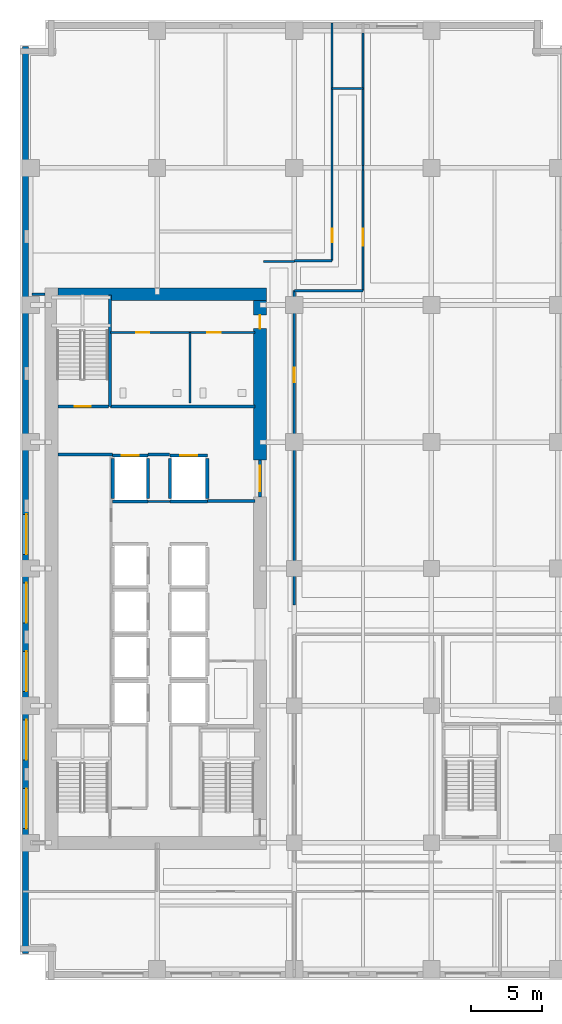
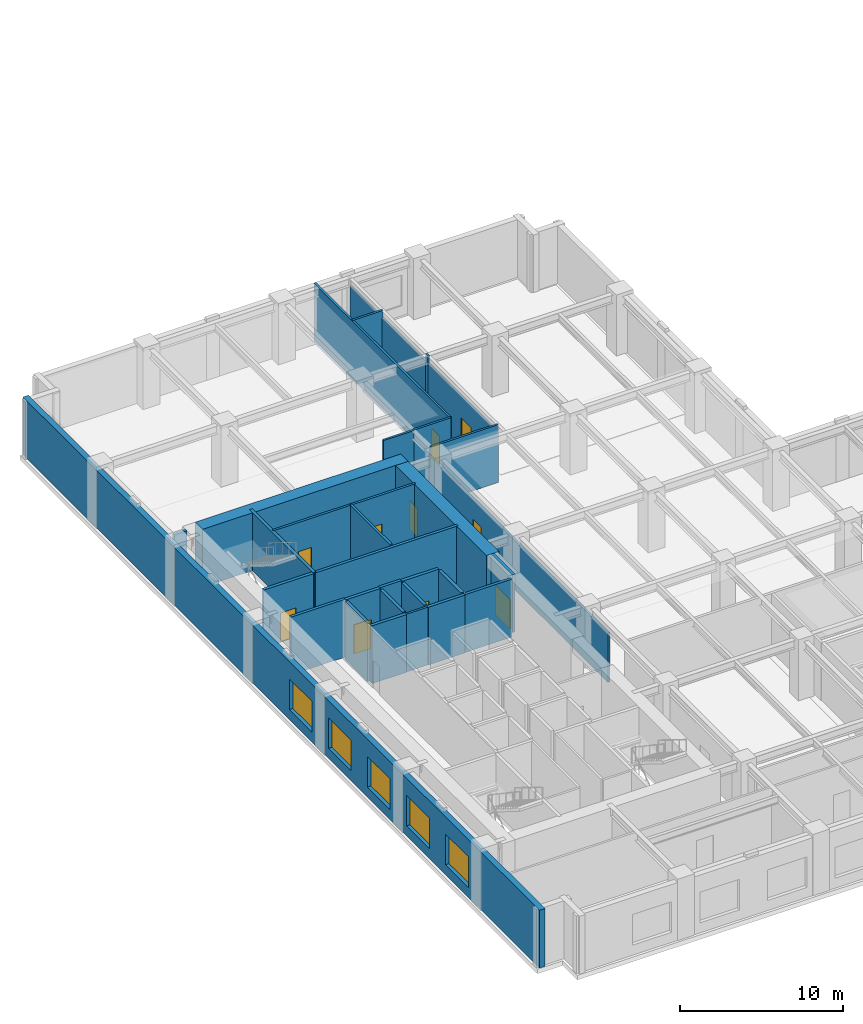
# One storey, part 7 of 21: 31 walls, 10 doors, 5 windows, 15 openings.
"""IFC4 building model written with IfcOpenShell, lengths in metres."""

from ifc_helpers import new_model, si_unit, direction, frame, frame_2d, origin, place, context, subcontext, project, spatial, rectangle, extrude, material, layer, layer_set, type_object, element, fill, save


model = new_model("IFC4")

# Units and contexts
model_context = context("Model", 3, precision=1e-05, world=origin(), true_north=direction((0.0, 1.0)))
body_context = subcontext(model_context, "Body", "Model", "MODEL_VIEW")
ifc_project = project(units=[si_unit("LENGTHUNIT", "METRE"), si_unit("AREAUNIT", "SQUARE_METRE"), si_unit("VOLUMEUNIT", "CUBIC_METRE"), si_unit("PLANEANGLEUNIT", "RADIAN"), si_unit("MASSUNIT", "GRAM", prefix="KILO")], contexts=[model_context])

# Site, building, storey
site_placement = place(None, origin())
site = spatial("IfcSite", under=ifc_project, at=site_placement, CompositionType="ELEMENT")
building_placement = place(site_placement, origin())
building = spatial("IfcBuilding", under=site, at=building_placement, Name="Norrvale University Quadrangle", CompositionType="ELEMENT")
storey_placement = place(building_placement, frame((0.0, 0.0, 19.60009765625)))
storey = spatial("IfcBuildingStorey", under=building, at=storey_placement, Name="L04", CompositionType="ELEMENT", Elevation=19.60009765625)

# Wall
ifc_material_1 = material(Name="Concrete C80/95", Category="concrete")
ifc_layer_1 = layer(ifc_material_1, 0.89990234375, Name="Concrete C80/95")
ifc_layer_set_1 = layer_set([ifc_layer_1], Name="Concrete C80/95")
wall_type_1 = type_object("IfcWallType", Name="Wall Core 900", PredefinedType="SHEAR", material=ifc_layer_set_1)
wall_1_placement = place(storey_placement, frame((2.64990234375, 48.0, 0.0), z_axis=(0.0, 0.0, 1.0), x_axis=(1.0, 0.0, 0.0)))
element("IfcWall", 1, at=wall_1_placement, inside=storey, type_object=wall_type_1, Name="Tower Core Shear Wall L04-N", PredefinedType="SHEAR", context=body_context, shape_type="SweptSolid", body=[
    extrude(rectangle(XDim=14.60009765625, YDim=0.89990234375, at=frame_2d((7.300048828125, 0.0))), origin(), (0.0, 0.0, 1.0), 4.33984375),
])

# Wall, opening, door
wall_2_placement = place(storey_placement, frame((16.800048828125, 36.39990234375, 0.0), z_axis=(0.0, 0.0, 1.0), x_axis=(0.0, 1.0, 0.0)))
wall_2 = element("IfcWall", 2, at=wall_2_placement, inside=storey, type_object=wall_type_1, Name="Tower Core Shear Wall L04-E3", PredefinedType="SHEAR", context=body_context, shape_type="SweptSolid", body=[
    extrude(rectangle(XDim=11.150146484375, YDim=0.89990234375, at=frame_2d((5.5751953125, 0.0))), origin(), (0.0, 0.0, 1.0), 4.33984375),
])
opening_1_placement = place(wall_2_placement, frame((9.199951171875, 0.0, 0.0)))
opening_1 = element("IfcOpeningElement", 3, at=opening_1_placement, cuts=wall_2, Name="Opening D07", PredefinedType="OPENING", context=body_context, shape_type="SweptSolid", body=[
    extrude(rectangle(XDim=0.949951171875, YDim=2.14990234375, at=frame_2d((0.47509765625, 1.074951171875))), frame((0.0, 0.4619140625, 0.0), z_axis=(0.0, -1.0, 0.0), x_axis=(1.0, 0.0, 0.0)), (0.0, 0.0, 1.0), 0.923828125),
])
ifc_material_2 = material(Name="Solid-Core Maple Door", Category="wood")
door_type_1 = type_object("IfcDoorType", Name="Door Office 950x2150", OperationType="NOTDEFINED", PredefinedType="DOOR", material=ifc_material_2)
door_1_placement = place(opening_1_placement, origin())
door_1 = element("IfcDoor", 4, at=door_1_placement, inside=storey, type_object=door_type_1, Name="Door Office 950x2150 DR-L04-NECORR", OperationType="SINGLE_SWING_LEFT", OverallHeight=2.14990234375, OverallWidth=0.949951171875, PredefinedType="DOOR", context=body_context, shape_type="SweptSolid", body=[
    extrude(rectangle(XDim=0.949951171875, YDim=2.14990234375, at=frame_2d((0.47509765625, 1.074951171875))), frame((0.0, 0.02490234375, 0.0), z_axis=(0.0, -1.0, 0.0), x_axis=(1.0, 0.0, 0.0)), (0.0, 0.0, 1.0), 0.050048828125),
])
fill(opening_1, door_1)

# Walls
ifc_material_3 = material(Name="Fire-Rated Gypsum Stud Partition")
ifc_layer_2 = layer(ifc_material_3, 0.14990234375, Name="Fire-Rated Gypsum Stud Partition")
ifc_layer_set_2 = layer_set([ifc_layer_2], Name="Fire-Rated Gypsum Stud Partition")
wall_type_2 = type_object("IfcWallType", Name="Wall Gypsum Corridor 150", PredefinedType="PARTITIONING", material=ifc_layer_set_2)
wall_3_placement = place(storey_placement, frame((8.965087890625, 33.489990234375, 0.0), z_axis=(0.0, 0.0, 1.0), x_axis=(1.0, 0.0, 0.0)))
element("IfcWall", 5, at=wall_3_placement, inside=storey, type_object=wall_type_2, Name="Interior Partition WL-L04-LL3", PredefinedType="PARTITIONING", context=body_context, shape_type="SweptSolid", body=[
    extrude(rectangle(XDim=1.52001953125, YDim=0.14990234375, at=frame_2d((0.760009765625, 0.0))), origin(), (0.0, 0.0, 1.0), 4.33984375),
])
wall_4_placement = place(storey_placement, frame((17.050048828125, 50.300048828125, 0.0), z_axis=(0.0, 0.0, 1.0), x_axis=(1.0, 0.0, 0.0)))
element("IfcWall", 6, at=wall_4_placement, inside=storey, type_object=wall_type_2, Name="Interior Partition WL-L04-CN-END", PredefinedType="PARTITIONING", context=body_context, shape_type="SweptSolid", body=[
    extrude(rectangle(XDim=2.14990234375, YDim=0.14990234375, at=frame_2d((1.074951171875, 0.0))), origin(), (0.0, 0.0, 1.0), 4.33984375),
])

# Wall, opening, door
wall_5_placement = place(storey_placement, frame((19.199951171875, 26.25, 0.0), z_axis=(0.0, 0.0, 1.0), x_axis=(0.0, 1.0, 0.0)))
wall_5 = element("IfcWall", 7, at=wall_5_placement, inside=storey, type_object=wall_type_2, Name="Interior Partition WL-L04-MNECW", PredefinedType="PARTITIONING", context=body_context, shape_type="SweptSolid", body=[
    extrude(rectangle(XDim=22.0, YDim=0.14990234375, at=frame_2d((11.0, 0.0))), origin(), (0.0, 0.0, 1.0), 3.723876953125),
])
opening_2_placement = place(wall_5_placement, frame((15.60009765625, 0.0, 0.0)))
opening_2 = element("IfcOpeningElement", 8, at=opening_2_placement, cuts=wall_5, Name="Opening D04", PredefinedType="OPENING", context=body_context, shape_type="SweptSolid", body=[
    extrude(rectangle(XDim=1.0, YDim=2.199951171875, at=frame_2d((0.5, 1.10009765625))), frame((0.0, 0.0869140625, 0.0), z_axis=(0.0, -1.0, 0.0), x_axis=(1.0, 0.0, 0.0)), (0.0, 0.0, 1.0), 0.173828125),
])
ifc_material_4 = material(Name="Solid-Core Oak Fire Door", Category="wood")
door_type_2 = type_object("IfcDoorType", Name="Door Corridor 1000x2200", OperationType="NOTDEFINED", PredefinedType="DOOR", material=ifc_material_4)
door_2_placement = place(opening_2_placement, origin())
door_2 = element("IfcDoor", 9, at=door_2_placement, inside=storey, type_object=door_type_2, Name="Door Corridor 1000x2200 DR-L04-MNE01", OperationType="SINGLE_SWING_RIGHT", OverallHeight=2.199951171875, OverallWidth=1.0, PredefinedType="DOOR", context=body_context, shape_type="SweptSolid", body=[
    extrude(rectangle(XDim=1.0, YDim=2.199951171875, at=frame_2d((0.5, 1.10009765625))), frame((0.0, 0.02490234375, 0.0), z_axis=(0.0, -1.0, 0.0), x_axis=(1.0, 0.0, 0.0)), (0.0, 0.0, 1.0), 0.050048828125),
])
fill(opening_2, door_2)

# Walls
wall_6_placement = place(storey_placement, frame((19.199951171875, 48.25, 0.0), z_axis=(0.0, 0.0, 1.0), x_axis=(1.0, 0.0, 0.0)))
element("IfcWall", 10, at=wall_6_placement, inside=storey, type_object=wall_type_2, Name="Interior Partition WL-L04-JOGS", PredefinedType="PARTITIONING", context=body_context, shape_type="SweptSolid", body=[
    extrude(rectangle(XDim=4.800048828125, YDim=0.14990234375, at=frame_2d((2.39990234375, 0.0))), origin(), (0.0, 0.0, 1.0), 4.33984375),
])
wall_7_placement = place(storey_placement, frame((19.199951171875, 50.35009765625, 0.0), z_axis=(0.0, 0.0, 1.0), x_axis=(1.0, 0.0, 0.0)))
element("IfcWall", 11, at=wall_7_placement, inside=storey, type_object=wall_type_2, Name="Interior Partition WL-L04-JOGN", PredefinedType="PARTITIONING", context=body_context, shape_type="SweptSolid", body=[
    extrude(rectangle(XDim=2.650146484375, YDim=0.14990234375, at=frame_2d((1.3251953125, 0.0))), origin(), (0.0, 0.0, 1.0), 4.33984375),
])
wall_8_placement = place(storey_placement, frame((21.85009765625, 62.39990234375, 0.0), z_axis=(0.0, 0.0, 1.0), x_axis=(1.0, 0.0, 0.0)))
element("IfcWall", 12, at=wall_8_placement, inside=storey, type_object=wall_type_2, Name="Interior Partition WL-L04-JOGEND", PredefinedType="PARTITIONING", context=body_context, shape_type="SweptSolid", body=[
    extrude(rectangle(XDim=2.14990234375, YDim=0.14990234375, at=frame_2d((1.074951171875, 0.0))), origin(), (0.0, 0.0, 1.0), 4.33984375),
])

# Wall, opening, door
wall_9_placement = place(storey_placement, frame((24.0, 48.25, 0.0), z_axis=(0.0, 0.0, 1.0), x_axis=(0.0, 1.0, 0.0)))
wall_9 = element("IfcWall", 13, at=wall_9_placement, inside=storey, type_object=wall_type_2, Name="Interior Partition WL-L04-NECW", PredefinedType="PARTITIONING", context=body_context, shape_type="SweptSolid", body=[
    extrude(rectangle(XDim=8.4375, YDim=0.14990234375, at=frame_2d((4.21875, 0.0))), origin(), (0.0, 0.0, 1.0), 3.7958984375),
])
opening_3_placement = place(wall_9_placement, frame((3.14990234375, 0.0, 0.0)))
opening_3 = element("IfcOpeningElement", 14, at=opening_3_placement, cuts=wall_9, Name="Opening D05", PredefinedType="OPENING", context=body_context, shape_type="SweptSolid", body=[
    extrude(rectangle(XDim=1.199951171875, YDim=2.199951171875, at=frame_2d((0.60009765625, 1.10009765625))), frame((0.0, 0.0869140625, 0.0), z_axis=(0.0, -1.0, 0.0), x_axis=(1.0, 0.0, 0.0)), (0.0, 0.0, 1.0), 0.173828125),
])
ifc_material_5 = material(Name="Acoustic Oak Classroom Door", Category="wood")
door_type_3 = type_object("IfcDoorType", Name="Door Classroom 1200x2200", OperationType="NOTDEFINED", PredefinedType="DOOR", material=ifc_material_5)
door_3_placement = place(opening_3_placement, origin())
door_3 = element("IfcDoor", 15, at=door_3_placement, inside=storey, type_object=door_type_3, Name="Door Classroom 1200x2200 DR-L04-NE01", OperationType="SINGLE_SWING_RIGHT", OverallHeight=2.199951171875, OverallWidth=1.199951171875, PredefinedType="DOOR", context=body_context, shape_type="SweptSolid", body=[
    extrude(rectangle(XDim=1.199951171875, YDim=2.199951171875, at=frame_2d((0.60009765625, 1.10009765625))), frame((0.0, 0.02490234375, 0.0), z_axis=(0.0, -1.0, 0.0), x_axis=(1.0, 0.0, 0.0)), (0.0, 0.0, 1.0), 0.050048828125),
])
fill(opening_3, door_3)

# Walls
wall_10_placement = place(storey_placement, frame((24.0, 56.6875, 0.0), z_axis=(0.0, 0.0, 1.0), x_axis=(0.0, 1.0, 0.0)))
element("IfcWall", 16, at=wall_10_placement, inside=storey, type_object=wall_type_2, Name="Interior Partition WL-L04-NECW-B2", PredefinedType="PARTITIONING", context=body_context, shape_type="SweptSolid", body=[
    extrude(rectangle(XDim=0.324951171875, YDim=0.14990234375, at=frame_2d((0.16259765625, 0.0))), origin(), (0.0, 0.0, 1.0), 4.33984375),
])
wall_11_placement = place(storey_placement, frame((24.0, 57.012451171875, 0.0), z_axis=(0.0, 0.0, 1.0), x_axis=(0.0, 1.0, 0.0)))
element("IfcWall", 17, at=wall_11_placement, inside=storey, type_object=wall_type_2, Name="Interior Partition WL-L04-NECW-B3", PredefinedType="PARTITIONING", context=body_context, shape_type="SweptSolid", body=[
    extrude(rectangle(XDim=9.275146484375, YDim=0.14990234375, at=frame_2d((4.6376953125, 0.0))), origin(), (0.0, 0.0, 1.0), 3.7958984375),
])

# Wall, opening, door
wall_12_placement = place(storey_placement, frame((21.85009765625, 50.35009765625, 0.0), z_axis=(0.0, 0.0, 1.0), x_axis=(0.0, 1.0, 0.0)))
wall_12 = element("IfcWall", 18, at=wall_12_placement, inside=storey, type_object=wall_type_2, Name="Interior Partition WL-L04-NWCW", PredefinedType="PARTITIONING", context=body_context, shape_type="SweptSolid", body=[
    extrude(rectangle(XDim=16.6298828125, YDim=0.14990234375, at=frame_2d((8.31494140625, 0.0))), origin(), (0.0, 0.0, 1.0), 4.33984375),
])
opening_4_placement = place(wall_12_placement, frame((1.300048828125, 0.0, 0.0)))
opening_4 = element("IfcOpeningElement", 19, at=opening_4_placement, cuts=wall_12, Name="Opening D07", PredefinedType="OPENING", context=body_context, shape_type="SweptSolid", body=[
    extrude(rectangle(XDim=0.949951171875, YDim=2.14990234375, at=frame_2d((0.47509765625, 1.074951171875))), frame((0.0, 0.0869140625, 0.0), z_axis=(0.0, -1.0, 0.0), x_axis=(1.0, 0.0, 0.0)), (0.0, 0.0, 1.0), 0.173828125),
])
door_4_placement = place(opening_4_placement, origin())
door_4 = element("IfcDoor", 20, at=door_4_placement, inside=storey, type_object=door_type_1, Name="Door Office 950x2150 DR-L04-NW01", OperationType="SINGLE_SWING_RIGHT", OverallHeight=2.14990234375, OverallWidth=0.949951171875, PredefinedType="DOOR", context=body_context, shape_type="SweptSolid", body=[
    extrude(rectangle(XDim=0.949951171875, YDim=2.14990234375, at=frame_2d((0.47509765625, 1.074951171875))), frame((0.0, 0.02490234375, 0.0), z_axis=(0.0, -1.0, 0.0), x_axis=(1.0, 0.0, 0.0)), (0.0, 0.0, 1.0), 0.050048828125),
])
fill(opening_4, door_4)

# Wall, openings, doors
ifc_material_6 = material(Name="Sanitary Chase Gypsum Partition")
ifc_layer_3 = layer(ifc_material_6, 0.1650390625, Name="Sanitary Chase Gypsum Partition")
ifc_layer_set_3 = layer_set([ifc_layer_3], Name="Sanitary Chase Gypsum Partition")
wall_type_3 = type_object("IfcWallType", Name="Wall Gypsum Sanitary 165", PredefinedType="PLUMBINGWALL", material=ifc_layer_set_3)
wall_13_placement = place(storey_placement, frame((6.320068359375, 45.320068359375, 0.0), z_axis=(0.0, 0.0, 1.0), x_axis=(1.0, 0.0, 0.0)))
wall_13 = element("IfcWall", 21, at=wall_13_placement, inside=storey, type_object=wall_type_3, Name="Interior Partition WL-L04-WCN", PredefinedType="PLUMBINGWALL", context=body_context, shape_type="SweptSolid", body=[
    extrude(rectangle(XDim=10.1298828125, YDim=0.1650390625, at=frame_2d((5.06494140625, 0.0))), origin(), (0.0, 0.0, 1.0), 4.33984375),
])
opening_5_placement = place(wall_13_placement, frame((1.800048828125, 0.0, 0.0)))
opening_5 = element("IfcOpeningElement", 22, at=opening_5_placement, cuts=wall_13, Name="Opening D08", PredefinedType="OPENING", context=body_context, shape_type="SweptSolid", body=[
    extrude(rectangle(XDim=0.919921875, YDim=2.14990234375, at=frame_2d((0.4599609375, 1.074951171875))), frame((0.0, 0.094482421875, 0.0), z_axis=(0.0, -1.0, 0.0), x_axis=(1.0, 0.0, 0.0)), (0.0, 0.0, 1.0), 0.18896484375),
])
opening_6_placement = place(wall_13_placement, frame((6.800048828125, 0.0, 0.0)))
opening_6 = element("IfcOpeningElement", 23, at=opening_6_placement, cuts=wall_13, Name="Opening D08", PredefinedType="OPENING", context=body_context, shape_type="SweptSolid", body=[
    extrude(rectangle(XDim=0.919921875, YDim=2.14990234375, at=frame_2d((0.4599609375, 1.074951171875))), frame((0.0, 0.094482421875, 0.0), z_axis=(0.0, -1.0, 0.0), x_axis=(1.0, 0.0, 0.0)), (0.0, 0.0, 1.0), 0.18896484375),
])
ifc_material_7 = material(Name="Laminate Washroom Door", Category="wood")
door_type_4 = type_object("IfcDoorType", Name="Door Washroom 920x2150", OperationType="NOTDEFINED", PredefinedType="DOOR", material=ifc_material_7)
door_5_placement = place(opening_5_placement, origin())
door_5 = element("IfcDoor", 24, at=door_5_placement, inside=storey, type_object=door_type_4, Name="Door Washroom 920x2150 DR-L04-WC1", OperationType="SINGLE_SWING_LEFT", OverallHeight=2.14990234375, OverallWidth=0.919921875, PredefinedType="DOOR", context=body_context, shape_type="SweptSolid", body=[
    extrude(rectangle(XDim=0.919921875, YDim=2.14990234375, at=frame_2d((0.4599609375, 1.074951171875))), frame((0.0, 0.02490234375, 0.0), z_axis=(0.0, -1.0, 0.0), x_axis=(1.0, 0.0, 0.0)), (0.0, 0.0, 1.0), 0.050048828125),
])
fill(opening_5, door_5)
door_6_placement = place(opening_6_placement, origin())
door_6 = element("IfcDoor", 25, at=door_6_placement, inside=storey, type_object=door_type_4, Name="Door Washroom 920x2150 DR-L04-WC2", OperationType="SINGLE_SWING_RIGHT", OverallHeight=2.14990234375, OverallWidth=0.919921875, PredefinedType="DOOR", context=body_context, shape_type="SweptSolid", body=[
    extrude(rectangle(XDim=0.919921875, YDim=2.14990234375, at=frame_2d((0.4599609375, 1.074951171875))), frame((0.0, 0.02490234375, 0.0), z_axis=(0.0, -1.0, 0.0), x_axis=(1.0, 0.0, 0.0)), (0.0, 0.0, 1.0), 0.050048828125),
])
fill(opening_6, door_6)

# Walls
wall_14_placement = place(storey_placement, frame((11.89990234375, 40.39990234375, 0.0), z_axis=(0.0, 0.0, 1.0), x_axis=(0.0, 1.0, 0.0)))
element("IfcWall", 26, at=wall_14_placement, inside=storey, type_object=wall_type_3, Name="Interior Partition WL-L04-WCM1", PredefinedType="PLUMBINGWALL", context=body_context, shape_type="SweptSolid", body=[
    extrude(rectangle(XDim=4.920166015625, YDim=0.1650390625, at=frame_2d((2.4599609375, 0.0))), origin(), (0.0, 0.0, 1.0), 4.33984375),
])
ifc_material_8 = material(Name="Concrete Blockwork 20 MPa Rated Wall", Category="masonry")
ifc_layer_4 = layer(ifc_material_8, 0.199951171875, Name="Concrete Blockwork 20 MPa Rated Wall")
ifc_layer_set_4 = layer_set([ifc_layer_4], Name="Concrete Blockwork 20 MPa Rated Wall")
wall_type_4 = type_object("IfcWallType", Name="Wall Lobby 200", PredefinedType="SOLIDWALL", material=ifc_layer_set_4)
wall_15_placement = place(storey_placement, frame((2.64990234375, 36.780029296875, 0.0), z_axis=(0.0, 0.0, 1.0), x_axis=(1.0, 0.0, 0.0)))
element("IfcWall", 27, at=wall_15_placement, inside=storey, type_object=wall_type_4, Name="Interior Partition WL-L04-FF1", PredefinedType="SOLIDWALL", context=body_context, shape_type="SweptSolid", body=[
    extrude(rectangle(XDim=3.830078125, YDim=0.199951171875, at=frame_2d((1.9150390625, 0.0))), origin(), (0.0, 0.0, 1.0), 4.33984375),
])
wall_16_placement = place(storey_placement, frame((8.969970703125, 36.780029296875, 0.0), z_axis=(0.0, 0.0, 1.0), x_axis=(1.0, 0.0, 0.0)))
element("IfcWall", 28, at=wall_16_placement, inside=storey, type_object=wall_type_4, Name="Interior Partition WL-L04-FF2", PredefinedType="SOLIDWALL", context=body_context, shape_type="SweptSolid", body=[
    extrude(rectangle(XDim=1.510009765625, YDim=0.199951171875, at=frame_2d((0.7548828125, 0.0))), origin(), (0.0, 0.0, 1.0), 4.33984375),
])
wall_17_placement = place(storey_placement, frame((13.1201171875, 33.52001953125, 0.0), z_axis=(0.0, 0.0, 1.0), x_axis=(1.0, 0.0, 0.0)))
element("IfcWall", 29, at=wall_17_placement, inside=storey, type_object=wall_type_4, Name="Interior Partition WL-L04-FF3", PredefinedType="SOLIDWALL", context=body_context, shape_type="SweptSolid", body=[
    extrude(rectangle(XDim=3.329833984375, YDim=0.199951171875, at=frame_2d((1.6650390625, 0.0))), origin(), (0.0, 0.0, 1.0), 4.33984375),
])
wall_18_placement = place(storey_placement, frame((6.320068359375, 40.139892578125, 0.0), z_axis=(0.0, 0.0, 1.0), x_axis=(1.0, 0.0, 0.0)))
element("IfcWall", 30, at=wall_18_placement, inside=storey, type_object=wall_type_4, Name="Interior Partition WL-L04-FF4", PredefinedType="SOLIDWALL", context=body_context, shape_type="SweptSolid", body=[
    extrude(rectangle(XDim=10.1298828125, YDim=0.199951171875, at=frame_2d((5.06494140625, 0.0))), origin(), (0.0, 0.0, 1.0), 4.33984375),
])

# Wall, opening, door
wall_19_placement = place(storey_placement, frame((16.800048828125, 33.800048828125, 0.0), z_axis=(0.0, 0.0, 1.0), x_axis=(0.0, 1.0, 0.0)))
wall_19 = element("IfcWall", 31, at=wall_19_placement, inside=storey, type_object=wall_type_4, Name="Interior Partition WL-L04-FFP", PredefinedType="SOLIDWALL", context=body_context, shape_type="SweptSolid", body=[
    extrude(rectangle(XDim=2.599853515625, YDim=0.199951171875, at=frame_2d((1.2998046875, 0.0))), origin(), (0.0, 0.0, 1.0), 4.33984375),
])
opening_7_placement = place(wall_19_placement, frame((0.39990234375, 0.0, 0.0)))
opening_7 = element("IfcOpeningElement", 32, at=opening_7_placement, cuts=wall_19, Name="Opening D03", PredefinedType="OPENING", context=body_context, shape_type="SweptSolid", body=[
    extrude(rectangle(XDim=1.800048828125, YDim=2.199951171875, at=frame_2d((0.89990234375, 1.10009765625))), frame((0.0, 0.112060546875, 0.0), z_axis=(0.0, -1.0, 0.0), x_axis=(1.0, 0.0, 0.0)), (0.0, 0.0, 1.0), 0.223876953125),
])
ifc_material_9 = material(Name="Hollow Steel 350W Fire Door", Category="steel")
door_type_5 = type_object("IfcDoorType", Name="Door Fire Lobby 1800x2200", OperationType="DOUBLE_DOOR_SINGLE_SWING", PredefinedType="DOOR", material=ifc_material_9)
door_7_placement = place(opening_7_placement, origin())
door_7 = element("IfcDoor", 33, at=door_7_placement, inside=storey, type_object=door_type_5, Name="Door Fire Lobby 1800x2200 DR-L04-FFP", OperationType="DOUBLE_DOOR_SINGLE_SWING", OverallHeight=2.199951171875, OverallWidth=1.800048828125, PredefinedType="DOOR", context=body_context, shape_type="SweptSolid", body=[
    extrude(rectangle(XDim=1.800048828125, YDim=2.199951171875, at=frame_2d((0.89990234375, 1.10009765625))), frame((0.0, 0.02490234375, 0.0), z_axis=(0.0, -1.0, 0.0), x_axis=(1.0, 0.0, 0.0)), (0.0, 0.0, 1.0), 0.050048828125),
])
fill(opening_7, door_7)

# Wall
wall_20_placement = place(storey_placement, frame((0.85009765625, 48.0, 0.0), z_axis=(0.0, 0.0, 1.0), x_axis=(1.0, 0.0, 0.0)))
element("IfcWall", 34, at=wall_20_placement, inside=storey, type_object=wall_type_4, Name="Interior Partition WL-L04-CWRET-N", PredefinedType="SOLIDWALL", context=body_context, shape_type="SweptSolid", body=[
    extrude(rectangle(XDim=0.89501953125, YDim=0.199951171875, at=frame_2d((0.447509765625, 0.0))), origin(), (0.0, 0.0, 1.0), 4.33984375),
])

# Wall, openings, windows
ifc_material_10 = material(Name="Red Manganese Brick Masonry", Category="masonry")
ifc_layer_5 = layer(ifc_material_10, 0.39990234375, Name="Red Manganese Brick Masonry")
ifc_layer_set_5 = layer_set([ifc_layer_5], Name="Red Manganese Brick Masonry")
wall_type_5 = type_object("IfcWallType", Name="Wall Red Brick 400", PredefinedType="SOLIDWALL", material=ifc_layer_set_5)
wall_21_placement = place(storey_placement, frame((0.3798828125, 65.360107421875, 0.0), z_axis=(0.0, 0.0, 1.0), x_axis=(0.0, -1.0, 0.0)))
wall_21 = element("IfcWall", 35, at=wall_21_placement, inside=storey, type_object=wall_type_5, Name="Exterior Brick Facade Wall L04-14.1", PredefinedType="SOLIDWALL", context=body_context, shape_type="SweptSolid", body=[
    extrude(rectangle(XDim=63.52001953125, YDim=0.39990234375, at=frame_2d((31.760009765625, 0.0))), origin(), (0.0, 0.0, 1.0), 4.33984375),
])
opening_8_placement = place(wall_21_placement, frame((32.760009765625, 0.0, 0.75)))
opening_8 = element("IfcOpeningElement", 36, at=opening_8_placement, cuts=wall_21, Name="Opening W05", PredefinedType="OPENING", context=body_context, shape_type="SweptSolid", body=[
    extrude(rectangle(XDim=2.800048828125, YDim=2.300048828125, at=frame_2d((1.39990234375, 1.14990234375))), frame((0.0, 0.2119140625, 0.0), z_axis=(0.0, -1.0, 0.0), x_axis=(1.0, 0.0, 0.0)), (0.0, 0.0, 1.0), 0.423828125),
])
opening_9_placement = place(wall_21_placement, frame((37.56005859375, 0.0, 0.75)))
opening_9 = element("IfcOpeningElement", 37, at=opening_9_placement, cuts=wall_21, Name="Opening W05", PredefinedType="OPENING", context=body_context, shape_type="SweptSolid", body=[
    extrude(rectangle(XDim=2.800048828125, YDim=2.300048828125, at=frame_2d((1.39990234375, 1.14990234375))), frame((0.0, 0.2119140625, 0.0), z_axis=(0.0, -1.0, 0.0), x_axis=(1.0, 0.0, 0.0)), (0.0, 0.0, 1.0), 0.423828125),
])
opening_10_placement = place(wall_21_placement, frame((42.360107421875, 0.0, 0.75)))
opening_10 = element("IfcOpeningElement", 38, at=opening_10_placement, cuts=wall_21, Name="Opening W05", PredefinedType="OPENING", context=body_context, shape_type="SweptSolid", body=[
    extrude(rectangle(XDim=2.800048828125, YDim=2.300048828125, at=frame_2d((1.39990234375, 1.14990234375))), frame((0.0, 0.2119140625, 0.0), z_axis=(0.0, -1.0, 0.0), x_axis=(1.0, 0.0, 0.0)), (0.0, 0.0, 1.0), 0.423828125),
])
opening_11_placement = place(wall_21_placement, frame((47.159912109375, 0.0, 0.75)))
opening_11 = element("IfcOpeningElement", 39, at=opening_11_placement, cuts=wall_21, Name="Opening W05", PredefinedType="OPENING", context=body_context, shape_type="SweptSolid", body=[
    extrude(rectangle(XDim=2.800048828125, YDim=2.300048828125, at=frame_2d((1.39990234375, 1.14990234375))), frame((0.0, 0.2119140625, 0.0), z_axis=(0.0, -1.0, 0.0), x_axis=(1.0, 0.0, 0.0)), (0.0, 0.0, 1.0), 0.423828125),
])
opening_12_placement = place(wall_21_placement, frame((51.9599609375, 0.0, 0.75)))
opening_12 = element("IfcOpeningElement", 40, at=opening_12_placement, cuts=wall_21, Name="Opening W05", PredefinedType="OPENING", context=body_context, shape_type="SweptSolid", body=[
    extrude(rectangle(XDim=2.800048828125, YDim=2.300048828125, at=frame_2d((1.39990234375, 1.14990234375))), frame((0.0, 0.2119140625, 0.0), z_axis=(0.0, -1.0, 0.0), x_axis=(1.0, 0.0, 0.0)), (0.0, 0.0, 1.0), 0.423828125),
])
ifc_material_11 = material(Name="Bird-Friendly Fritted Triple Glazing", Category="glass")
window_type = type_object("IfcWindowType", Name="Window Podium 2800x2800", PartitioningType="TRIPLE_PANEL_VERTICAL", PredefinedType="WINDOW", material=ifc_material_11)
window_1_placement = place(opening_8_placement, origin())
window_1 = element("IfcWindow", 41, at=window_1_placement, inside=storey, type_object=window_type, Name="Window Podium 2800x2800 WIN-L04-E14-1-01", OverallHeight=2.300048828125, OverallWidth=2.800048828125, PartitioningType="TRIPLE_PANEL_VERTICAL", PredefinedType="WINDOW", context=body_context, shape_type="SweptSolid", body=[
    extrude(rectangle(XDim=2.800048828125, YDim=2.300048828125, at=frame_2d((1.39990234375, 1.14990234375))), frame((0.0, 0.110107421875, 0.0), z_axis=(0.0, -1.0, 0.0), x_axis=(1.0, 0.0, 0.0)), (0.0, 0.0, 1.0), 0.06005859375),
])
fill(opening_8, window_1)
window_2_placement = place(opening_9_placement, origin())
window_2 = element("IfcWindow", 42, at=window_2_placement, inside=storey, type_object=window_type, Name="Window Podium 2800x2800 WIN-L04-E14-1-02", OverallHeight=2.300048828125, OverallWidth=2.800048828125, PartitioningType="TRIPLE_PANEL_VERTICAL", PredefinedType="WINDOW", context=body_context, shape_type="SweptSolid", body=[
    extrude(rectangle(XDim=2.800048828125, YDim=2.300048828125, at=frame_2d((1.39990234375, 1.14990234375))), frame((0.0, 0.110107421875, 0.0), z_axis=(0.0, -1.0, 0.0), x_axis=(1.0, 0.0, 0.0)), (0.0, 0.0, 1.0), 0.06005859375),
])
fill(opening_9, window_2)
window_3_placement = place(opening_10_placement, origin())
window_3 = element("IfcWindow", 43, at=window_3_placement, inside=storey, type_object=window_type, Name="Window Podium 2800x2800 WIN-L04-E14-1-03", OverallHeight=2.300048828125, OverallWidth=2.800048828125, PartitioningType="TRIPLE_PANEL_VERTICAL", PredefinedType="WINDOW", context=body_context, shape_type="SweptSolid", body=[
    extrude(rectangle(XDim=2.800048828125, YDim=2.300048828125, at=frame_2d((1.39990234375, 1.14990234375))), frame((0.0, 0.110107421875, 0.0), z_axis=(0.0, -1.0, 0.0), x_axis=(1.0, 0.0, 0.0)), (0.0, 0.0, 1.0), 0.06005859375),
])
fill(opening_10, window_3)
window_4_placement = place(opening_11_placement, origin())
window_4 = element("IfcWindow", 44, at=window_4_placement, inside=storey, type_object=window_type, Name="Window Podium 2800x2800 WIN-L04-E14-1-04", OverallHeight=2.300048828125, OverallWidth=2.800048828125, PartitioningType="TRIPLE_PANEL_VERTICAL", PredefinedType="WINDOW", context=body_context, shape_type="SweptSolid", body=[
    extrude(rectangle(XDim=2.800048828125, YDim=2.300048828125, at=frame_2d((1.39990234375, 1.14990234375))), frame((0.0, 0.110107421875, 0.0), z_axis=(0.0, -1.0, 0.0), x_axis=(1.0, 0.0, 0.0)), (0.0, 0.0, 1.0), 0.06005859375),
])
fill(opening_11, window_4)
window_5_placement = place(opening_12_placement, origin())
window_5 = element("IfcWindow", 45, at=window_5_placement, inside=storey, type_object=window_type, Name="Window Podium 2800x2800 WIN-L04-E14-1-05", OverallHeight=2.300048828125, OverallWidth=2.800048828125, PartitioningType="TRIPLE_PANEL_VERTICAL", PredefinedType="WINDOW", context=body_context, shape_type="SweptSolid", body=[
    extrude(rectangle(XDim=2.800048828125, YDim=2.300048828125, at=frame_2d((1.39990234375, 1.14990234375))), frame((0.0, 0.110107421875, 0.0), z_axis=(0.0, -1.0, 0.0), x_axis=(1.0, 0.0, 0.0)), (0.0, 0.0, 1.0), 0.06005859375),
])
fill(opening_12, window_5)

# Wall, opening, door
ifc_material_12 = material(Name="Concrete Blockwork 20 MPa Fire Shaft", Category="masonry")
ifc_layer_6 = layer(ifc_material_12, 0.219970703125, Name="Concrete Blockwork 20 MPa Fire Shaft")
ifc_layer_set_6 = layer_set([ifc_layer_6], Name="Concrete Blockwork 20 MPa Fire Shaft")
wall_type_6 = type_object("IfcWallType", Name="Wall Shaft 220", PredefinedType="SOLIDWALL", material=ifc_layer_set_6)
wall_22_placement = place(storey_placement, frame((2.64990234375, 40.139892578125, 0.0), z_axis=(0.0, 0.0, 1.0), x_axis=(1.0, 0.0, 0.0)))
wall_22 = element("IfcWall", 46, at=wall_22_placement, inside=storey, type_object=wall_type_6, Name="Stair ST-02 South Shaft Wall L04", PredefinedType="SOLIDWALL", context=body_context, shape_type="SweptSolid", body=[
    extrude(rectangle(XDim=3.550048828125, YDim=0.219970703125, at=frame_2d((1.77490234375, 0.0))), origin(), (0.0, 0.0, 1.0), 4.33984375),
])
opening_13_placement = place(wall_22_placement, frame((1.199951171875, 0.0, 0.0)))
opening_13 = element("IfcOpeningElement", 47, at=opening_13_placement, cuts=wall_22, Name="Opening D02", PredefinedType="OPENING", context=body_context, shape_type="SweptSolid", body=[
    extrude(rectangle(XDim=1.10009765625, YDim=2.199951171875, at=frame_2d((0.550048828125, 1.10009765625))), frame((0.0, 0.1220703125, 0.0), z_axis=(0.0, -1.0, 0.0), x_axis=(1.0, 0.0, 0.0)), (0.0, 0.0, 1.0), 0.243896484375),
])
door_type_6 = type_object("IfcDoorType", Name="Door Stair Exit 1100x2200", OperationType="NOTDEFINED", PredefinedType="DOOR", material=ifc_material_9)
door_8_placement = place(opening_13_placement, origin())
door_8 = element("IfcDoor", 48, at=door_8_placement, inside=storey, type_object=door_type_6, Name="Door Stair Exit 1100x2200 DR-L04-ST02", OperationType="SINGLE_SWING_LEFT", OverallHeight=2.199951171875, OverallWidth=1.10009765625, PredefinedType="DOOR", context=body_context, shape_type="SweptSolid", body=[
    extrude(rectangle(XDim=1.10009765625, YDim=2.199951171875, at=frame_2d((0.550048828125, 1.10009765625))), frame((0.0, 0.02490234375, 0.0), z_axis=(0.0, -1.0, 0.0), x_axis=(1.0, 0.0, 0.0)), (0.0, 0.0, 1.0), 0.050048828125),
])
fill(opening_13, door_8)

# Walls
wall_23_placement = place(storey_placement, frame((6.31005859375, 40.139892578125, 0.0), z_axis=(0.0, 0.0, 1.0), x_axis=(0.0, 1.0, 0.0)))
element("IfcWall", 49, at=wall_23_placement, inside=storey, type_object=wall_type_6, Name="Stair ST-02 East Shaft Wall L04", PredefinedType="SOLIDWALL", context=body_context, shape_type="SweptSolid", body=[
    extrude(rectangle(XDim=7.81005859375, YDim=0.219970703125, at=frame_2d((3.905029296875, 0.0))), origin(), (0.0, 0.0, 1.0), 4.33984375),
])
for number, where, z_axis, x_axis, name in (
    (50, (6.489990234375, 33.7099609375, 0.0), (0.0, 0.0, 1.0), (0.0, 1.0, 0.0), "Hoistway FFL-01 West Wall L04"),
    (51, (8.9599609375, 33.7099609375, 0.0), (0.0, 0.0, 1.0), (0.0, 1.0, 0.0), "Hoistway FFL-01 East Wall L04"),
):
    element("IfcWall", number, at=place(storey_placement, frame(where, z_axis=z_axis, x_axis=x_axis)), inside=storey, type_object=wall_type_6, Name=name, PredefinedType="SOLIDWALL", context=body_context, shape_type="SweptSolid", body=[
        extrude(rectangle(XDim=2.780029296875, YDim=0.219970703125, at=frame_2d((1.39013671875, 0.0))), origin(), (0.0, 0.0, 1.0), 4.33984375),
    ])
wall_24_placement = place(storey_placement, frame((6.489990234375, 33.489990234375, 0.0), z_axis=(0.0, 0.0, 1.0), x_axis=(1.0, 0.0, 0.0)))
element("IfcWall", 52, at=wall_24_placement, inside=storey, type_object=wall_type_6, Name="Hoistway FFL-01 South Wall L04", PredefinedType="SOLIDWALL", context=body_context, shape_type="SweptSolid", body=[
    extrude(rectangle(XDim=2.469970703125, YDim=0.219970703125, at=frame_2d((1.23486328125, 0.0))), origin(), (0.0, 0.0, 1.0), 4.33984375),
])

# Wall, opening, door
wall_25_placement = place(storey_placement, frame((6.489990234375, 36.7099609375, 0.0), z_axis=(0.0, 0.0, 1.0), x_axis=(1.0, 0.0, 0.0)))
wall_25 = element("IfcWall", 53, at=wall_25_placement, inside=storey, type_object=wall_type_6, Name="Hoistway FFL-01 North Wall L04", PredefinedType="SOLIDWALL", context=body_context, shape_type="SweptSolid", body=[
    extrude(rectangle(XDim=2.469970703125, YDim=0.219970703125, at=frame_2d((1.23486328125, 0.0))), origin(), (0.0, 0.0, 1.0), 4.33984375),
])
opening_14_placement = place(wall_25_placement, frame((0.635009765625, 0.0, 0.0)))
opening_14 = element("IfcOpeningElement", 54, at=opening_14_placement, cuts=wall_25, Name="Opening LD2", PredefinedType="OPENING", context=body_context, shape_type="SweptSolid", body=[
    extrude(rectangle(XDim=1.199951171875, YDim=2.199951171875, at=frame_2d((0.60009765625, 1.10009765625))), frame((0.0, 0.1220703125, 0.0), z_axis=(0.0, -1.0, 0.0), x_axis=(1.0, 0.0, 0.0)), (0.0, 0.0, 1.0), 0.243896484375),
])
ifc_material_13 = material(Name="Stainless Steel 316L Firefighter Lift Door", Category="steel")
door_type_7 = type_object("IfcDoorType", Name="Door Fire Lift 1200x2200", OperationType="DOUBLE_DOOR_SLIDING", PredefinedType="DOOR", material=ifc_material_13)
door_9_placement = place(opening_14_placement, origin())
door_9 = element("IfcDoor", 55, at=door_9_placement, inside=storey, type_object=door_type_7, Name="Elevator Landing Door DR-L04-FFL-01", OperationType="DOUBLE_DOOR_SLIDING", OverallHeight=2.199951171875, OverallWidth=1.199951171875, PredefinedType="DOOR", context=body_context, shape_type="SweptSolid", body=[
    extrude(rectangle(XDim=1.199951171875, YDim=2.199951171875, at=frame_2d((0.60009765625, 1.10009765625))), frame((0.0, 0.02490234375, 0.0), z_axis=(0.0, -1.0, 0.0), x_axis=(1.0, 0.0, 0.0)), (0.0, 0.0, 1.0), 0.050048828125),
])
fill(opening_14, door_9)

# Walls
for number, where, z_axis, x_axis, name in (
    (56, (10.489990234375, 33.7099609375, 0.0), (0.0, 0.0, 1.0), (0.0, 1.0, 0.0), "Hoistway FFL-02 West Wall L04"),
    (57, (13.110107421875, 33.7099609375, 0.0), (0.0, 0.0, 1.0), (0.0, 1.0, 0.0), "Hoistway FFL-02 East Wall L04"),
):
    element("IfcWall", number, at=place(storey_placement, frame(where, z_axis=z_axis, x_axis=x_axis)), inside=storey, type_object=wall_type_6, Name=name, PredefinedType="SOLIDWALL", context=body_context, shape_type="SweptSolid", body=[
        extrude(rectangle(XDim=2.780029296875, YDim=0.219970703125, at=frame_2d((1.39013671875, 0.0))), origin(), (0.0, 0.0, 1.0), 4.33984375),
    ])
wall_26_placement = place(storey_placement, frame((10.489990234375, 33.489990234375, 0.0), z_axis=(0.0, 0.0, 1.0), x_axis=(1.0, 0.0, 0.0)))
element("IfcWall", 58, at=wall_26_placement, inside=storey, type_object=wall_type_6, Name="Hoistway FFL-02 South Wall L04", PredefinedType="SOLIDWALL", context=body_context, shape_type="SweptSolid", body=[
    extrude(rectangle(XDim=2.6201171875, YDim=0.219970703125, at=frame_2d((1.31005859375, 0.0))), origin(), (0.0, 0.0, 1.0), 4.33984375),
])

# Wall, opening, door
wall_27_placement = place(storey_placement, frame((10.489990234375, 36.7099609375, 0.0), z_axis=(0.0, 0.0, 1.0), x_axis=(1.0, 0.0, 0.0)))
wall_27 = element("IfcWall", 59, at=wall_27_placement, inside=storey, type_object=wall_type_6, Name="Hoistway FFL-02 North Wall L04", PredefinedType="SOLIDWALL", context=body_context, shape_type="SweptSolid", body=[
    extrude(rectangle(XDim=2.6201171875, YDim=0.219970703125, at=frame_2d((1.31005859375, 0.0))), origin(), (0.0, 0.0, 1.0), 4.33984375),
])
opening_15_placement = place(wall_27_placement, frame((0.7099609375, 0.0, 0.0)))
opening_15 = element("IfcOpeningElement", 60, at=opening_15_placement, cuts=wall_27, Name="Opening LD2", PredefinedType="OPENING", context=body_context, shape_type="SweptSolid", body=[
    extrude(rectangle(XDim=1.199951171875, YDim=2.199951171875, at=frame_2d((0.60009765625, 1.10009765625))), frame((0.0, 0.1220703125, 0.0), z_axis=(0.0, -1.0, 0.0), x_axis=(1.0, 0.0, 0.0)), (0.0, 0.0, 1.0), 0.243896484375),
])
door_10_placement = place(opening_15_placement, origin())
door_10 = element("IfcDoor", 61, at=door_10_placement, inside=storey, type_object=door_type_7, Name="Elevator Landing Door DR-L04-FFL-02", OperationType="DOUBLE_DOOR_SLIDING", OverallHeight=2.199951171875, OverallWidth=1.199951171875, PredefinedType="DOOR", context=body_context, shape_type="SweptSolid", body=[
    extrude(rectangle(XDim=1.199951171875, YDim=2.199951171875, at=frame_2d((0.60009765625, 1.10009765625))), frame((0.0, 0.02490234375, 0.0), z_axis=(0.0, -1.0, 0.0), x_axis=(1.0, 0.0, 0.0)), (0.0, 0.0, 1.0), 0.050048828125),
])
fill(opening_15, door_10)

save(model, "model.ifc")
